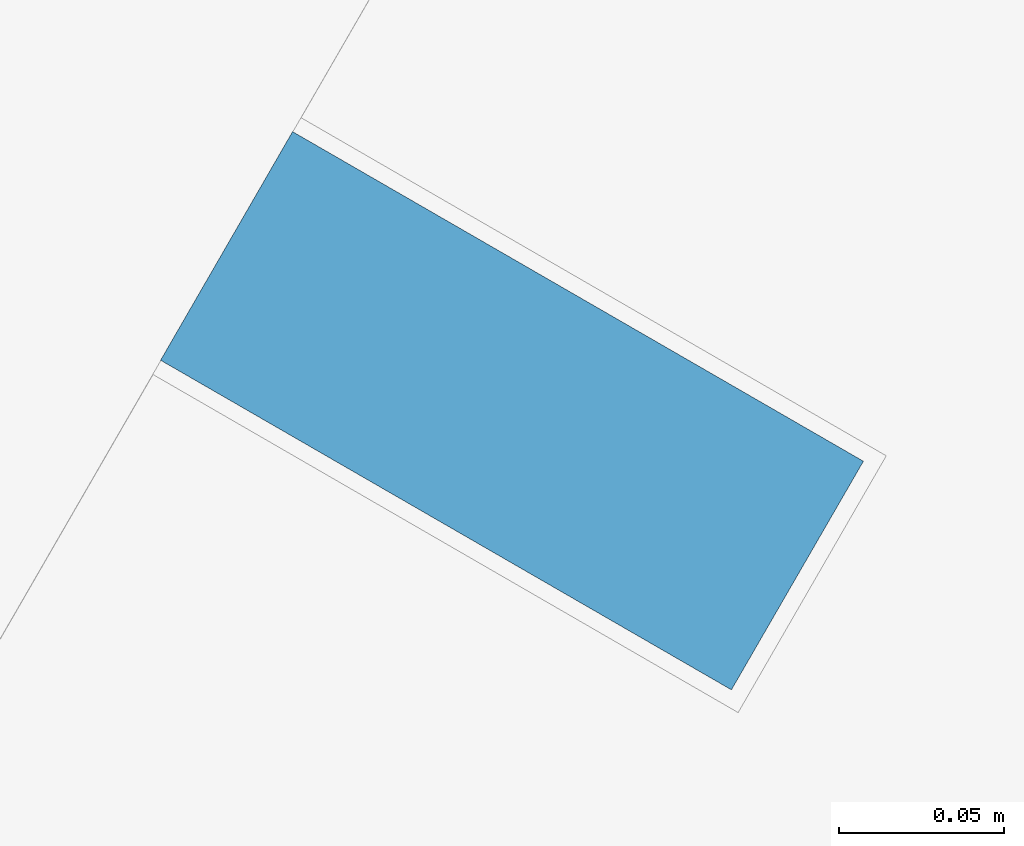
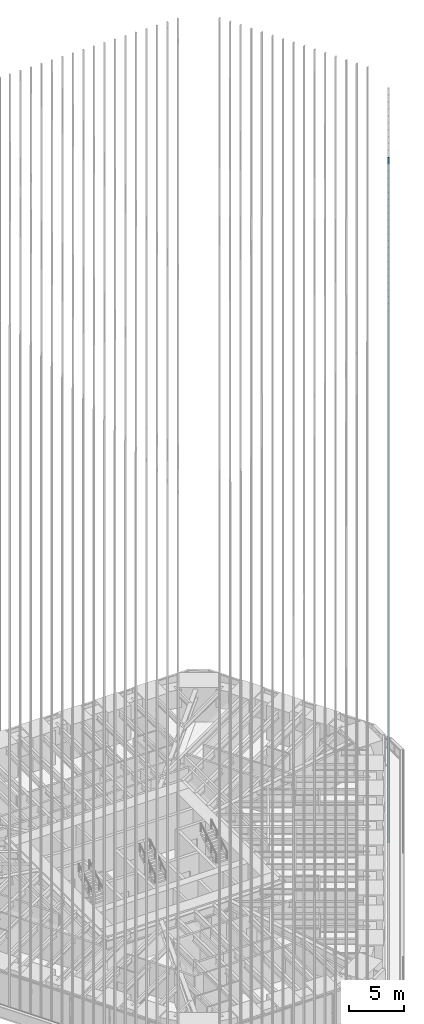
# One storey, part 106 of 238: 1 member, 1 element without a shape of its own.
"""IFC4 building model written with IfcOpenShell, lengths in metres."""

from ifc_helpers import new_model, si_unit, direction, frame, origin, origin_2d, place, context, subcontext, project, spatial, rectangle, extrude, material, material_profile, profile_set, type_object, element, aggregate, save


model = new_model("IFC4")

# Units and contexts
model_context = context("Model", 3, precision=1e-05, world=origin(), true_north=direction((0.0, 1.0)))
body_context = subcontext(model_context, "Body", "Model", "MODEL_VIEW")
ifc_project = project(units=[si_unit("LENGTHUNIT", "METRE"), si_unit("AREAUNIT", "SQUARE_METRE"), si_unit("VOLUMEUNIT", "CUBIC_METRE"), si_unit("PLANEANGLEUNIT", "RADIAN"), si_unit("MASSUNIT", "GRAM", prefix="KILO")], contexts=[model_context])

# Site, building, storey
site_placement = place(None, origin())
site = spatial("IfcSite", under=ifc_project, at=site_placement, CompositionType="ELEMENT")
building_placement = place(site_placement, origin())
building = spatial("IfcBuilding", under=site, at=building_placement, Name="Sandreach Pilgrim Tower", CompositionType="ELEMENT")
storey_placement = place(building_placement, frame((0.0, 0.0, 96.800048828125)))
storey = spatial("IfcBuildingStorey", under=building, at=storey_placement, Name="L23", CompositionType="ELEMENT", Elevation=96.800048828125)

# Curtain wall, member
ifc_material_1 = material(Name="Aluminium framed curtain wall", Category="aluminium")
curtain_wall_type = type_object("IfcCurtainWallType", Name="Hotel tower curtain wall", PredefinedType="NOTDEFINED", material=ifc_material_1)
curtain_wall_placement = place(storey_placement, origin())
curtain_wall = element("IfcCurtainWall", 1, at=curtain_wall_placement, inside=storey, type_object=curtain_wall_type, Name="CW-2 L23 SE", PredefinedType="NOTDEFINED")
ifc_material_2 = material(Name="Extruded terracotta on aluminium core", Category="masonry")
ifc_material_profile = material_profile(ifc_material_2, rectangle(XDim=0.080078125, YDim=0.199951171875, at=origin_2d()), Name="TBE 80X200")
ifc_profile_set = profile_set([ifc_material_profile], Name="Extruded terracotta on aluminium core")
member_type = type_object("IfcMemberType", Name="Terracotta baguette east", PredefinedType="USERDEFINED", material=ifc_profile_set)
member_placement = place(storey_placement, frame((23.128662109375, -5.727294921875, 0.0), z_axis=(0.0, 0.0, 1.0), x_axis=(-0.5, -0.866025403784, 0.0)))
member = element("IfcMember", 2, at=member_placement, type_object=member_type, Name="Baguette Z2 SE11", ObjectType="BAGUETTE", PredefinedType="USERDEFINED", context=body_context, shape_type="SweptSolid", body=[
    extrude(rectangle(XDim=0.080078125, YDim=0.199951171875, at=origin_2d()), origin(), (0.0, 0.0, 1.0), 75.83984375),
])
aggregate(curtain_wall, [member])

save(model, "model.ifc")
